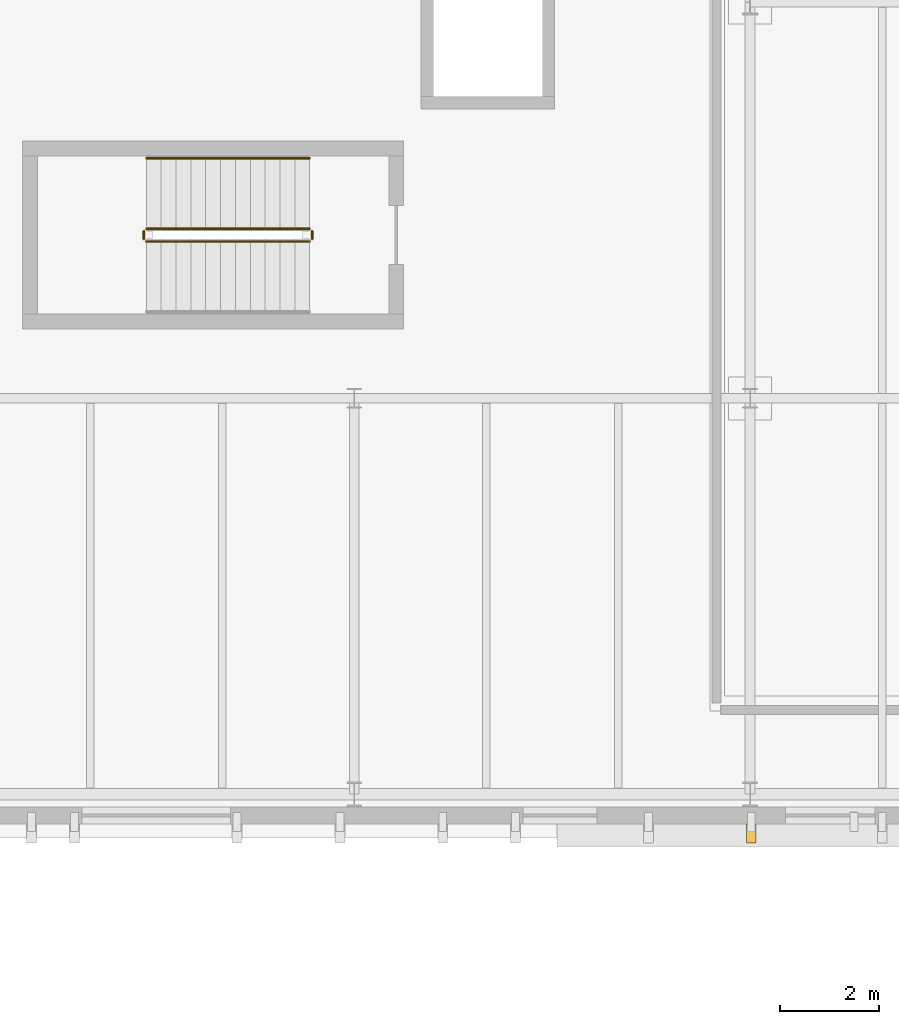
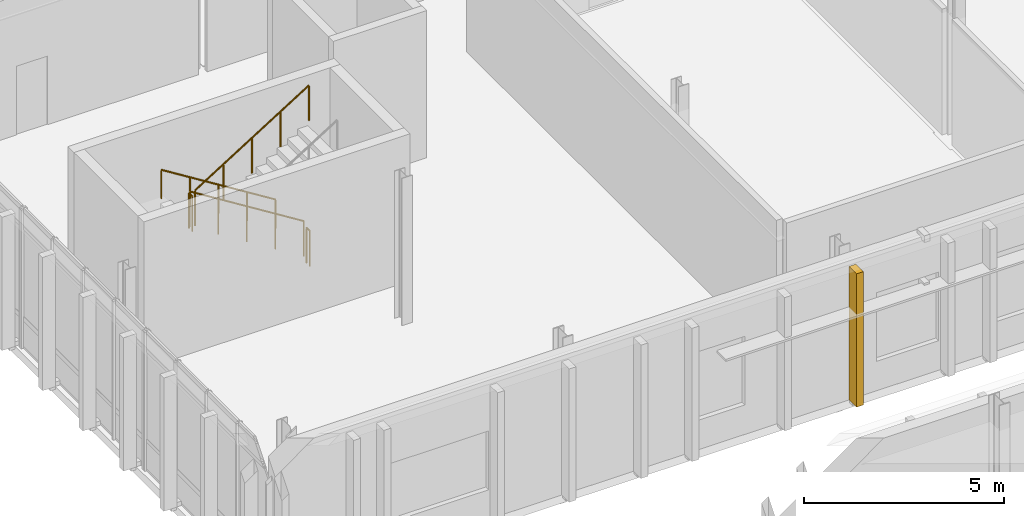
# One storey, part 94 of 100: 5 railings, 1 covering.
"""IFC4 building model written with IfcOpenShell, lengths in metres."""

from ifc_helpers import new_model, si_unit, direction, frame, origin, origin_2d, place, context, subcontext, project, spatial, rectangle, circle, extrude, material, layer, layer_set, type_object, element, save


model = new_model("IFC4")

# Units and contexts
model_context = context("Model", 3, precision=1e-05, world=origin(), true_north=direction((0.0, 1.0)))
body_context = subcontext(model_context, "Body", "Model", "MODEL_VIEW")
ifc_project = project(units=[si_unit("LENGTHUNIT", "METRE"), si_unit("AREAUNIT", "SQUARE_METRE"), si_unit("VOLUMEUNIT", "CUBIC_METRE"), si_unit("PLANEANGLEUNIT", "RADIAN"), si_unit("MASSUNIT", "GRAM", prefix="KILO")], contexts=[model_context])

# Site, building, storey
site_placement = place(None, origin())
site = spatial("IfcSite", under=ifc_project, at=site_placement, CompositionType="ELEMENT")
building_placement = place(site_placement, origin())
building = spatial("IfcBuilding", under=site, at=building_placement, Name="Cymarion Research Institute", CompositionType="ELEMENT")
storey_placement = place(building_placement, frame((0.0, 0.0, 4.800048828125)))
storey = spatial("IfcBuildingStorey", under=building, at=storey_placement, Name="L01", CompositionType="ELEMENT", Elevation=4.800048828125)

# Railings
ifc_material_1 = material(Name="Steel S355", Category="steel")
railing_type_1 = type_object("IfcRailingType", Name="PAINTED STEEL STAIR GUARDRAIL GR1 1100MM", PredefinedType="GUARDRAIL", material=ifc_material_1)
railing_1_placement = place(storey_placement, frame((13.699951171875, 96.929931640625, 0.1875)))
element("IfcRailing", 1, at=railing_1_placement, inside=storey, type_object=railing_type_1, Name="L01 ST9 stair guard 1", PredefinedType="GUARDRAIL", context=body_context, shape_type="SweptSolid", body=[
    extrude(circle(Radius=0.02392578125, at=origin_2d()), frame((0.0, 0.0, 1.076171875), z_axis=(-0.848001828478, 0.0, 0.529993300805), x_axis=(0.0, -1.0, 0.0)), (0.0, 0.0, 1.0), 3.8916015625),
    extrude(circle(Radius=0.02099609375, at=origin_2d()), origin(), (0.0, 0.0, 1.0), 1.052001953125),
    extrude(circle(Radius=0.02099609375, at=origin_2d()), frame((-0.824951171875, 0.0, 0.515625)), (0.0, 0.0, 1.0), 1.052001953125),
    extrude(circle(Radius=0.02099609375, at=origin_2d()), frame((-1.64990234375, 0.0, 1.03125)), (0.0, 0.0, 1.0), 1.052001953125),
    extrude(circle(Radius=0.02099609375, at=origin_2d()), frame((-2.47509765625, 0.0, 1.546875)), (0.0, 0.0, 1.0), 1.052001953125),
    extrude(circle(Radius=0.02099609375, at=origin_2d()), frame((-3.300048828125, 0.0, 2.0625)), (0.0, 0.0, 1.0), 1.052001953125),
])
railing_2_placement = place(storey_placement, frame((10.35009765625, 96.8798828125, 2.25)))
element("IfcRailing", 2, at=railing_2_placement, inside=storey, type_object=railing_type_1, Name="L01 ST9 stair guard 2", PredefinedType="GUARDRAIL", context=body_context, shape_type="SweptSolid", body=[
    extrude(circle(Radius=0.02392578125, at=origin_2d()), frame((0.0, 0.0, 1.076171875), z_axis=(0.0, -1.0, 0.0), x_axis=(1.0, 0.0, 0.0)), (0.0, 0.0, 1.0), 0.159912109375),
    extrude(circle(Radius=0.02099609375, at=origin_2d()), origin(), (0.0, 0.0, 1.0), 1.052001953125),
    extrude(circle(Radius=0.02099609375, at=origin_2d()), frame((0.0, -0.159912109375, 0.0)), (0.0, 0.0, 1.0), 1.052001953125),
])
railing_3_placement = place(storey_placement, frame((10.39990234375, 96.669921875, 2.4375)))
element("IfcRailing", 3, at=railing_3_placement, inside=storey, type_object=railing_type_1, Name="L01 ST9 stair guard 3", PredefinedType="GUARDRAIL", context=body_context, shape_type="SweptSolid", body=[
    extrude(circle(Radius=0.02392578125, at=origin_2d()), frame((0.0, 0.0, 1.076171875), z_axis=(0.848001828478, 0.0, 0.529993300805), x_axis=(0.0, 1.0, 0.0)), (0.0, 0.0, 1.0), 3.8916015625),
    extrude(circle(Radius=0.02099609375, at=origin_2d()), origin(), (0.0, 0.0, 1.0), 1.052001953125),
    extrude(circle(Radius=0.02099609375, at=origin_2d()), frame((0.824951171875, 0.0, 0.515625)), (0.0, 0.0, 1.0), 1.052001953125),
    extrude(circle(Radius=0.02099609375, at=origin_2d()), frame((1.64990234375, 0.0, 1.03125)), (0.0, 0.0, 1.0), 1.052001953125),
    extrude(circle(Radius=0.02099609375, at=origin_2d()), frame((2.47509765625, 0.0, 1.546875)), (0.0, 0.0, 1.0), 1.052001953125),
    extrude(circle(Radius=0.02099609375, at=origin_2d()), frame((3.300048828125, 0.0, 2.0625)), (0.0, 0.0, 1.0), 1.052001953125),
])
railing_4_placement = place(storey_placement, frame((13.75, 96.8798828125, 0.0)))
element("IfcRailing", 4, at=railing_4_placement, inside=storey, type_object=railing_type_1, Name="L01 ST9 stair guard 4", PredefinedType="GUARDRAIL", context=body_context, shape_type="SweptSolid", body=[
    extrude(circle(Radius=0.02392578125, at=origin_2d()), frame((0.0, 0.0, 1.076171875), z_axis=(0.0, -1.0, 0.0), x_axis=(1.0, 0.0, 0.0)), (0.0, 0.0, 1.0), 0.159912109375),
    extrude(circle(Radius=0.02099609375, at=origin_2d()), origin(), (0.0, 0.0, 1.0), 1.052001953125),
    extrude(circle(Radius=0.02099609375, at=origin_2d()), frame((0.0, -0.159912109375, 0.0)), (0.0, 0.0, 1.0), 1.052001953125),
])

# Covering
ifc_material_2 = material(Name="Precast concrete C45/55 architectural white", Category="concrete")
ifc_layer = layer(ifc_material_2, 0.199951171875)
ifc_layer_set = layer_set([ifc_layer], Name="Precast concrete C45/55 architectural white")
covering_type = type_object("IfcCoveringType", Name="SCULPTURAL WHITE PRECAST CONCRETE VERTICAL RIB RIB1 380X200", PredefinedType="CLADDING", material=ifc_layer_set)
covering_placement = place(storey_placement, frame((22.622314453125, 84.7080078125, 0.009765625), z_axis=(0.0, 0.0, 1.0), x_axis=(0.0, -1.0, 0.0)))
element("IfcCovering", 5, at=covering_placement, inside=storey, type_object=covering_type, Name="L01 V5 sculptural precast vertical rib RIB1 #374", PredefinedType="CLADDING", context=body_context, shape_type="SweptSolid", body=[
    extrude(rectangle(XDim=0.3798828125, YDim=0.199951171875, at=origin_2d()), origin(), (0.0, 0.0, 1.0), 4.074951171875),
])

# Railing
railing_type_2 = type_object("IfcRailingType", Name="STAINLESS STEEL STAIR HANDRAIL HR1 900MM", PredefinedType="HANDRAIL", material=ifc_material_1)
railing_5_placement = place(storey_placement, frame((13.699951171875, 98.35009765625, 0.1875)))
element("IfcRailing", 6, at=railing_5_placement, inside=storey, type_object=railing_type_2, Name="L01 ST9 stair handrail 1", PredefinedType="HANDRAIL", context=body_context, shape_type="SweptSolid", body=[
    extrude(circle(Radius=0.02392578125, at=origin_2d()), frame((0.0, 0.0, 0.8759765625), z_axis=(-0.848001828478, 0.0, 0.529993300805), x_axis=(0.0, -1.0, 0.0)), (0.0, 0.0, 1.0), 3.8916015625),
    extrude(circle(Radius=0.02099609375, at=origin_2d()), origin(), (0.0, 0.0, 1.0), 0.851806640625),
    extrude(circle(Radius=0.02099609375, at=origin_2d()), frame((-0.824951171875, 0.0, 0.515625)), (0.0, 0.0, 1.0), 0.851806640625),
    extrude(circle(Radius=0.02099609375, at=origin_2d()), frame((-1.64990234375, 0.0, 1.03125)), (0.0, 0.0, 1.0), 0.851806640625),
    extrude(circle(Radius=0.02099609375, at=origin_2d()), frame((-2.47509765625, 0.0, 1.546875)), (0.0, 0.0, 1.0), 0.851806640625),
    extrude(circle(Radius=0.02099609375, at=origin_2d()), frame((-3.300048828125, 0.0, 2.0625)), (0.0, 0.0, 1.0), 0.851806640625),
])

save(model, "model.ifc")
